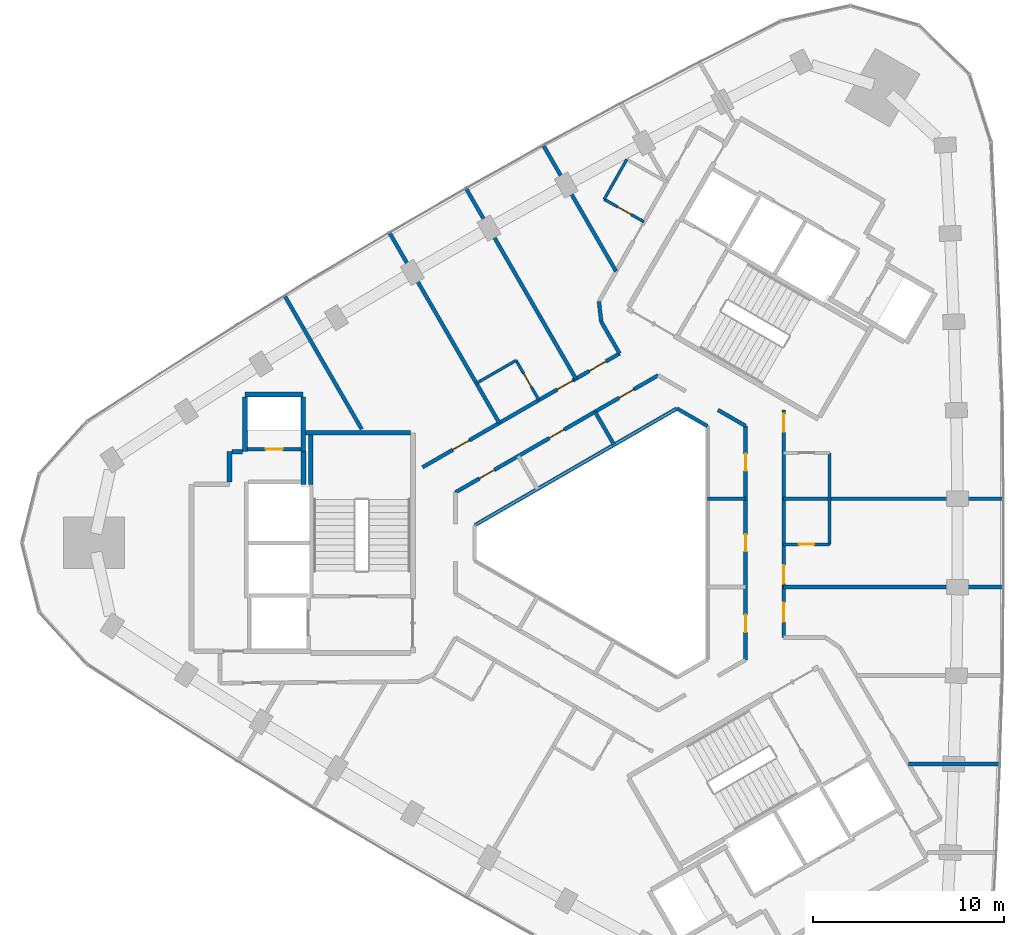
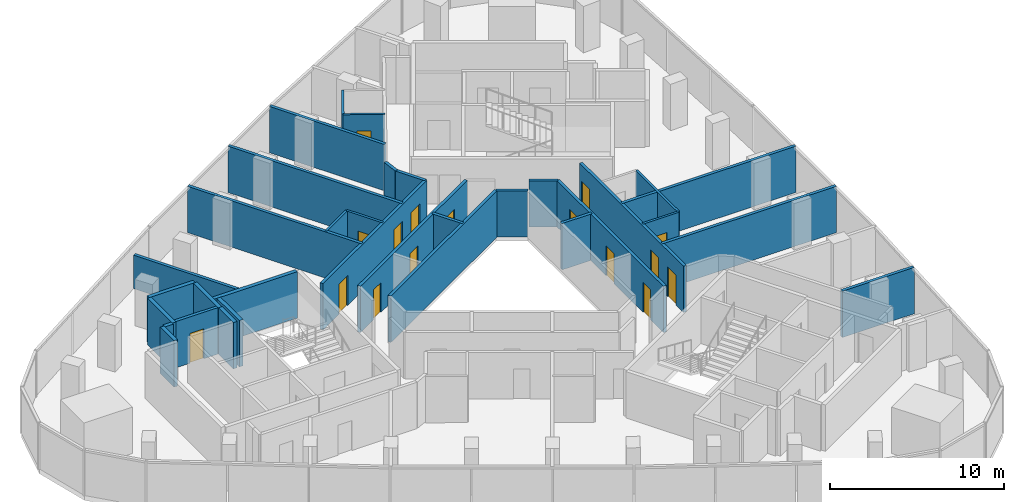
# One storey, part 9 of 12: 33 walls, 16 doors, 16 openings.
"""IFC4 building model written with IfcOpenShell, lengths in metres."""

from ifc_helpers import new_model, si_unit, direction, frame, frame_2d, origin, place, context, subcontext, project, spatial, rectangle, extrude, material, layer, layer_set, type_object, element, fill, save


model = new_model("IFC4")

# Units and contexts
model_context = context("Model", 3, precision=1e-05, world=origin(), true_north=direction((0.0, 1.0)))
body_context = subcontext(model_context, "Body", "Model", "MODEL_VIEW")
ifc_project = project(units=[si_unit("LENGTHUNIT", "METRE"), si_unit("AREAUNIT", "SQUARE_METRE"), si_unit("VOLUMEUNIT", "CUBIC_METRE"), si_unit("PLANEANGLEUNIT", "RADIAN"), si_unit("MASSUNIT", "GRAM", prefix="KILO")], contexts=[model_context])

# Site, building, storey
site_placement = place(None, origin())
site = spatial("IfcSite", under=ifc_project, at=site_placement, CompositionType="ELEMENT")
building_placement = place(site_placement, origin())
building = spatial("IfcBuilding", under=site, at=building_placement, Name="Tamra Quay Hotel Tower", CompositionType="ELEMENT")
storey_placement = place(building_placement, frame((0.0, 0.0, 200.800048828125)))
storey = spatial("IfcBuildingStorey", under=building, at=storey_placement, Name="L50", CompositionType="ELEMENT", Elevation=200.800048828125)

# Wall, opening, door
ifc_material_1 = material(Name="Concrete M70", Category="concrete")
ifc_layer_1 = layer(ifc_material_1, 0.199951171875)
ifc_layer_set_1 = layer_set([ifc_layer_1], Name="Concrete M70 core wall 200")
wall_type_1 = type_object("IfcWallType", Name="Concrete M70 core wall 200", PredefinedType="SHEAR", material=ifc_layer_set_1)
wall_1_placement = place(storey_placement, frame((-19.51123046875, 4.91015625, 0.0), z_axis=(0.0, 0.0, 1.0), x_axis=(1.0, 0.0, 0.0)))
wall_1 = element("IfcWall", 1, at=wall_1_placement, inside=storey, type_object=wall_type_1, Name="CW2", PredefinedType="SHEAR", context=body_context, shape_type="SweptSolid", body=[
    extrude(rectangle(XDim=2.7978515625, YDim=0.199951171875, at=frame_2d((1.39892578125, 0.0))), origin(), (0.0, 0.0, 1.0), 3.25),
])
opening_1_placement = place(wall_1_placement, frame((0.948974609375, 0.0, 0.0)))
opening_1 = element("IfcOpeningElement", 2, at=opening_1_placement, cuts=wall_1, Name="Opening D1", PredefinedType="OPENING", context=body_context, shape_type="SweptSolid", body=[
    extrude(rectangle(XDim=0.89990234375, YDim=2.10009765625, at=frame_2d((0.449951171875, 1.050048828125))), frame((0.0, 0.10986328125, 0.0), z_axis=(0.0, -1.0, 0.0), x_axis=(1.0, 0.0, 0.0)), (0.0, 0.0, 1.0), 0.219970703125),
])
ifc_material_2 = material(Name="Core door D1 900x2100 LH")
door_type_1 = type_object("IfcDoorType", Name="Core door D1 900x2100 LH", OperationType="NOTDEFINED", PredefinedType="DOOR", material=ifc_material_2)
door_1_placement = place(opening_1_placement, origin())
door_1 = element("IfcDoor", 3, at=door_1_placement, inside=storey, type_object=door_type_1, Name="D1", OperationType="SINGLE_SWING_LEFT", OverallHeight=2.10009765625, OverallWidth=0.89990234375, PredefinedType="DOOR", context=body_context, shape_type="SweptSolid", body=[
    extrude(rectangle(XDim=0.89990234375, YDim=2.10009765625, at=frame_2d((0.449951171875, 1.050048828125))), frame((0.0, 0.02490234375, 0.0), z_axis=(0.0, -1.0, 0.0), x_axis=(1.0, 0.0, 0.0)), (0.0, 0.0, 1.0), 0.050048828125),
])
fill(opening_1, door_1)

# Walls
ifc_layer_2 = layer(ifc_material_1, 0.25)
ifc_layer_set_2 = layer_set([ifc_layer_2], Name="Concrete M70 core wall 250")
wall_type_2 = type_object("IfcWallType", Name="Concrete M70 core wall 250", PredefinedType="SHEAR", material=ifc_layer_set_2)
wall_2_placement = place(storey_placement, frame((-16.47216796875, 5.77490234375, 0.0), z_axis=(0.0, 0.0, 1.0), x_axis=(1.0, 0.0, 0.0)))
element("IfcWall", 4, at=wall_2_placement, inside=storey, type_object=wall_type_2, Name="CW1", PredefinedType="SHEAR", context=body_context, shape_type="SweptSolid", body=[
    extrude(rectangle(XDim=5.509521484375, YDim=0.25, at=frame_2d((2.7548828125, 0.0))), origin(), (0.0, 0.0, 1.0), 3.25),
])
wall_3_placement = place(storey_placement, frame((-19.63720703125, 7.77490234375, 0.0), z_axis=(0.0, 0.0, 1.0), x_axis=(1.0, 0.0, 0.0)))
element("IfcWall", 5, at=wall_3_placement, inside=storey, type_object=wall_type_2, Name="CW1", PredefinedType="SHEAR", context=body_context, shape_type="SweptSolid", body=[
    extrude(rectangle(XDim=3.0498046875, YDim=0.25, at=frame_2d((1.52490234375, 0.0))), origin(), (0.0, 0.0, 1.0), 3.25),
])
for number, where, z_axis, x_axis, name in (
    (6, (-16.58740234375, 7.649658203125, 0.0), (0.0, 0.0, 1.0), (0.0, -1.0, 0.0), "CW1"),
    (7, (-19.63720703125, 4.784912109375, 0.0), (0.0, 0.0, 1.0), (0.0, 1.0, 0.0), "CW1"),
):
    element("IfcWall", number, at=place(storey_placement, frame(where, z_axis=z_axis, x_axis=x_axis)), inside=storey, type_object=wall_type_2, Name=name, PredefinedType="SHEAR", context=body_context, shape_type="SweptSolid", body=[
        extrude(rectangle(XDim=2.86474609375, YDim=0.25, at=frame_2d((1.432373046875, 0.0))), origin(), (0.0, 0.0, 1.0), 3.25),
    ])
wall_4_placement = place(storey_placement, frame((-16.187255859375, 3.074951171875, 0.0), z_axis=(0.0, 0.0, 1.0), x_axis=(0.0, 1.0, 0.0)))
element("IfcWall", 8, at=wall_4_placement, inside=storey, type_object=wall_type_2, Name="CW1", PredefinedType="SHEAR", context=body_context, shape_type="SweptSolid", body=[
    extrude(rectangle(XDim=2.57470703125, YDim=0.25, at=frame_2d((1.287353515625, 0.0))), origin(), (0.0, 0.0, 1.0), 3.25),
])
wall_5_placement = place(storey_placement, frame((-16.577392578125, 4.784912109375, 0.0), z_axis=(0.0, 0.0, 1.0), x_axis=(0.0, -1.0, 0.0)))
element("IfcWall", 9, at=wall_5_placement, inside=storey, type_object=wall_type_2, Name="CW1", PredefinedType="SHEAR", context=body_context, shape_type="SweptSolid", body=[
    extrude(rectangle(XDim=1.7099609375, YDim=0.25, at=frame_2d((0.85498046875, 0.0))), origin(), (0.0, 0.0, 1.0), 3.25),
])
wall_6_placement = place(storey_placement, frame((-20.447265625, 3.200439453125, 0.0), z_axis=(0.0, 0.0, 1.0), x_axis=(0.0, 1.0, 0.0)))
element("IfcWall", 10, at=wall_6_placement, inside=storey, type_object=wall_type_2, Name="CW1", PredefinedType="SHEAR", context=body_context, shape_type="SweptSolid", body=[
    extrude(rectangle(XDim=1.58447265625, YDim=0.25, at=frame_2d((0.792236328125, 0.0))), origin(), (0.0, 0.0, 1.0), 3.25),
])
wall_7_placement = place(storey_placement, frame((-20.32177734375, 4.784912109375, 0.0), z_axis=(0.0, 0.0, 1.0), x_axis=(1.0, 0.0, 0.0)))
element("IfcWall", 11, at=wall_7_placement, inside=storey, type_object=wall_type_2, Name="CW1", PredefinedType="SHEAR", context=body_context, shape_type="SweptSolid", body=[
    extrude(rectangle(XDim=0.55908203125, YDim=0.25, at=frame_2d((0.279541015625, 0.0))), origin(), (0.0, 0.0, 1.0), 3.25),
])

# Wall, openings, doors
ifc_material_3 = material(Name="Partition corridor wall")
ifc_layer_3 = layer(ifc_material_3, 0.199951171875)
ifc_layer_set_3 = layer_set([ifc_layer_3], Name="Partition corridor wall")
wall_type_3 = type_object("IfcWallType", Name="Partition corridor wall", PredefinedType="PARTITIONING", material=ifc_layer_set_3)
wall_8_placement = place(storey_placement, frame((-10.33447265625, 3.963134765625, 0.0), z_axis=(0.0, 0.0, 1.0), x_axis=(0.866013159114, 0.500021207791, 0.0)))
wall_8 = element("IfcWall", 12, at=wall_8_placement, inside=storey, type_object=wall_type_3, Name="W-C", PredefinedType="PARTITIONING", context=body_context, shape_type="SweptSolid", body=[
    extrude(rectangle(XDim=11.93115234375, YDim=0.199951171875, at=frame_2d((5.965576171875, 0.0))), origin(), (0.0, 0.0, 1.0), 3.25),
])
opening_2_placement = place(wall_8_placement, frame((10.103271484375, 0.0, 0.0)))
opening_2 = element("IfcOpeningElement", 13, at=opening_2_placement, cuts=wall_8, Name="Opening L50-D011", PredefinedType="OPENING", context=body_context, shape_type="SweptSolid", body=[
    extrude(rectangle(XDim=1.0, YDim=2.10009765625, at=frame_2d((0.5, 1.050048828125))), frame((0.0, 0.10986328125, 0.0), z_axis=(0.0, -1.0, 0.0), x_axis=(1.0, 0.0, 0.0)), (0.0, 0.0, 1.0), 0.219970703125),
])
opening_3_placement = place(wall_8_placement, frame((8.148681640625, 0.0, 0.0)))
opening_3 = element("IfcOpeningElement", 14, at=opening_3_placement, cuts=wall_8, Name="Opening L50-D012", PredefinedType="OPENING", context=body_context, shape_type="SweptSolid", body=[
    extrude(rectangle(XDim=0.949951171875, YDim=2.10009765625, at=frame_2d((0.47509765625, 1.050048828125))), frame((0.0, 0.10986328125, 0.0), z_axis=(0.0, -1.0, 0.0), x_axis=(1.0, 0.0, 0.0)), (0.0, 0.0, 1.0), 0.219970703125),
])
opening_4_placement = place(wall_8_placement, frame((1.83056640625, 0.0, 0.0)))
opening_4 = element("IfcOpeningElement", 15, at=opening_4_placement, cuts=wall_8, Name="Opening L50-D014", PredefinedType="OPENING", context=body_context, shape_type="SweptSolid", body=[
    extrude(rectangle(XDim=1.0, YDim=2.10009765625, at=frame_2d((0.5, 1.050048828125))), frame((0.0, 0.10986328125, 0.0), z_axis=(0.0, -1.0, 0.0), x_axis=(1.0, 0.0, 0.0)), (0.0, 0.0, 1.0), 0.219970703125),
])
ifc_material_4 = material(Name="Door guest room 1000x2100")
door_type_2 = type_object("IfcDoorType", Name="Door guest room 1000x2100", OperationType="NOTDEFINED", PredefinedType="DOOR", material=ifc_material_4)
door_2_placement = place(opening_2_placement, origin())
door_2 = element("IfcDoor", 16, at=door_2_placement, inside=storey, type_object=door_type_2, Name="L50-D011", OperationType="SINGLE_SWING_LEFT", OverallHeight=2.10009765625, OverallWidth=1.0, PredefinedType="DOOR", context=body_context, shape_type="SweptSolid", body=[
    extrude(rectangle(XDim=1.0, YDim=2.10009765625, at=frame_2d((0.5, 1.050048828125))), frame((0.0, 0.02490234375, 0.0), z_axis=(0.0, -1.0, 0.0), x_axis=(1.0, 0.0, 0.0)), (0.0, 0.0, 1.0), 0.050048828125),
])
fill(opening_2, door_2)
door_3_placement = place(opening_4_placement, origin())
door_3 = element("IfcDoor", 17, at=door_3_placement, inside=storey, type_object=door_type_2, Name="L50-D014", OperationType="SINGLE_SWING_LEFT", OverallHeight=2.10009765625, OverallWidth=1.0, PredefinedType="DOOR", context=body_context, shape_type="SweptSolid", body=[
    extrude(rectangle(XDim=1.0, YDim=2.10009765625, at=frame_2d((0.5, 1.050048828125))), frame((0.0, 0.02490234375, 0.0), z_axis=(0.0, -1.0, 0.0), x_axis=(1.0, 0.0, 0.0)), (0.0, 0.0, 1.0), 0.050048828125),
])
fill(opening_4, door_3)
ifc_material_5 = material(Name="Door guest room 950x2100")
door_type_3 = type_object("IfcDoorType", Name="Door guest room 950x2100", OperationType="NOTDEFINED", PredefinedType="DOOR", material=ifc_material_5)
door_4_placement = place(opening_3_placement, origin())
door_4 = element("IfcDoor", 18, at=door_4_placement, inside=storey, type_object=door_type_3, Name="L50-D012", OperationType="SINGLE_SWING_LEFT", OverallHeight=2.10009765625, OverallWidth=0.949951171875, PredefinedType="DOOR", context=body_context, shape_type="SweptSolid", body=[
    extrude(rectangle(XDim=0.949951171875, YDim=2.10009765625, at=frame_2d((0.47509765625, 1.050048828125))), frame((0.0, 0.02490234375, 0.0), z_axis=(0.0, -1.0, 0.0), x_axis=(1.0, 0.0, 0.0)), (0.0, 0.0, 1.0), 0.050048828125),
])
fill(opening_3, door_4)

wall_9_placement = place(storey_placement, frame((-8.611083984375, 2.647705078125, 0.0), z_axis=(0.0, 0.0, 1.0), x_axis=(0.865953566425, 0.500124405319, 0.0)))
wall_9 = element("IfcWall", 19, at=wall_9_placement, inside=storey, type_object=wall_type_3, Name="W-C", PredefinedType="PARTITIONING", context=body_context, shape_type="SweptSolid", body=[
    extrude(rectangle(XDim=12.267333984375, YDim=0.199951171875, at=frame_2d((6.1337890625, 0.0))), origin(), (0.0, 0.0, 1.0), 3.25),
])
opening_5_placement = place(wall_9_placement, frame((9.904052734375, 0.0, 0.0)))
opening_5 = element("IfcOpeningElement", 20, at=opening_5_placement, cuts=wall_9, Name="Opening L50-D024", PredefinedType="OPENING", context=body_context, shape_type="SweptSolid", body=[
    extrude(rectangle(XDim=0.89990234375, YDim=2.10009765625, at=frame_2d((0.449951171875, 1.050048828125))), frame((0.0, 0.10986328125, 0.0), z_axis=(0.0, -1.0, 0.0), x_axis=(1.0, 0.0, 0.0)), (0.0, 0.0, 1.0), 0.219970703125),
])
opening_6_placement = place(wall_9_placement, frame((5.683349609375, 0.0, 0.0)))
opening_6 = element("IfcOpeningElement", 21, at=opening_6_placement, cuts=wall_9, Name="Opening L50-D025", PredefinedType="OPENING", context=body_context, shape_type="SweptSolid", body=[
    extrude(rectangle(XDim=0.89990234375, YDim=2.10009765625, at=frame_2d((0.449951171875, 1.050048828125))), frame((0.0, 0.10986328125, 0.0), z_axis=(0.0, -1.0, 0.0), x_axis=(1.0, 0.0, 0.0)), (0.0, 0.0, 1.0), 0.219970703125),
])
opening_7_placement = place(wall_9_placement, frame((1.46337890625, 0.0, 0.0)))
opening_7 = element("IfcOpeningElement", 22, at=opening_7_placement, cuts=wall_9, Name="Opening L50-D026", PredefinedType="OPENING", context=body_context, shape_type="SweptSolid", body=[
    extrude(rectangle(XDim=0.89990234375, YDim=2.10009765625, at=frame_2d((0.449951171875, 1.050048828125))), frame((0.0, 0.10986328125, 0.0), z_axis=(0.0, -1.0, 0.0), x_axis=(1.0, 0.0, 0.0)), (0.0, 0.0, 1.0), 0.219970703125),
])
ifc_material_6 = material(Name="Door service room 900x2100")
door_type_4 = type_object("IfcDoorType", Name="Door service room 900x2100", OperationType="NOTDEFINED", PredefinedType="DOOR", material=ifc_material_6)
door_5_placement = place(opening_5_placement, frame((0.89990234375, 0.0, 0.0), z_axis=(0.0, 0.0, 1.0), x_axis=(-1.0, 0.0, 0.0)))
door_5 = element("IfcDoor", 23, at=door_5_placement, inside=storey, type_object=door_type_4, Name="L50-D024", OperationType="SINGLE_SWING_LEFT", OverallHeight=2.10009765625, OverallWidth=0.89990234375, PredefinedType="DOOR", context=body_context, shape_type="SweptSolid", body=[
    extrude(rectangle(XDim=0.89990234375, YDim=2.10009765625, at=frame_2d((0.449951171875, 1.050048828125))), frame((0.0, 0.02490234375, 0.0), z_axis=(0.0, -1.0, 0.0), x_axis=(1.0, 0.0, 0.0)), (0.0, 0.0, 1.0), 0.050048828125),
])
fill(opening_5, door_5)
door_6_placement = place(opening_6_placement, frame((0.89990234375, 0.0, 0.0), z_axis=(0.0, 0.0, 1.0), x_axis=(-1.0, 0.0, 0.0)))
door_6 = element("IfcDoor", 24, at=door_6_placement, inside=storey, type_object=door_type_4, Name="L50-D025", OperationType="SINGLE_SWING_LEFT", OverallHeight=2.10009765625, OverallWidth=0.89990234375, PredefinedType="DOOR", context=body_context, shape_type="SweptSolid", body=[
    extrude(rectangle(XDim=0.89990234375, YDim=2.10009765625, at=frame_2d((0.449951171875, 1.050048828125))), frame((0.0, 0.02490234375, 0.0), z_axis=(0.0, -1.0, 0.0), x_axis=(1.0, 0.0, 0.0)), (0.0, 0.0, 1.0), 0.050048828125),
])
fill(opening_6, door_6)
door_7_placement = place(opening_7_placement, frame((0.89990234375, 0.0, 0.0), z_axis=(0.0, 0.0, 1.0), x_axis=(-1.0, 0.0, 0.0)))
door_7 = element("IfcDoor", 25, at=door_7_placement, inside=storey, type_object=door_type_4, Name="L50-D026", OperationType="SINGLE_SWING_LEFT", OverallHeight=2.10009765625, OverallWidth=0.89990234375, PredefinedType="DOOR", context=body_context, shape_type="SweptSolid", body=[
    extrude(rectangle(XDim=0.89990234375, YDim=2.10009765625, at=frame_2d((0.449951171875, 1.050048828125))), frame((0.0, 0.02490234375, 0.0), z_axis=(0.0, -1.0, 0.0), x_axis=(1.0, 0.0, 0.0)), (0.0, 0.0, 1.0), 0.050048828125),
])
fill(opening_7, door_7)

# Walls
wall_10_placement = place(storey_placement, frame((-1.0849609375, 12.64990234375, 0.0), z_axis=(0.0, 0.0, 1.0), x_axis=(0.113812454263, -0.993502252264, 0.0)))
element("IfcWall", 26, at=wall_10_placement, inside=storey, type_object=wall_type_3, Name="W-C", PredefinedType="PARTITIONING", context=body_context, shape_type="SweptSolid", body=[
    extrude(rectangle(XDim=1.061767578125, YDim=0.199951171875, at=frame_2d((0.53076171875, 0.0))), origin(), (0.0, 0.0, 1.0), 3.25),
])
wall_11_placement = place(storey_placement, frame((-0.964111328125, 11.594970703125, 0.0), z_axis=(0.0, 0.0, 1.0), x_axis=(0.500110566207, -0.865961558944, 0.0)))
element("IfcWall", 27, at=wall_11_placement, inside=storey, type_object=wall_type_3, Name="W-C", PredefinedType="PARTITIONING", context=body_context, shape_type="SweptSolid", body=[
    extrude(rectangle(XDim=1.923828125, YDim=0.199951171875, at=frame_2d((0.9619140625, 0.0))), origin(), (0.0, 0.0, 1.0), 3.25),
])
wall_12_placement = place(storey_placement, frame((5.156005859375, 6.968017578125, 0.0), z_axis=(0.0, 0.0, 1.0), x_axis=(0.865963705197, -0.500106849865, 0.0)))
element("IfcWall", 28, at=wall_12_placement, inside=storey, type_object=wall_type_3, Name="W-C", PredefinedType="PARTITIONING", context=body_context, shape_type="SweptSolid", body=[
    extrude(rectangle(XDim=1.667724609375, YDim=0.199951171875, at=frame_2d((0.833984375, 0.0))), origin(), (0.0, 0.0, 1.0), 3.25),
])

# Wall, openings, doors
wall_13_placement = place(storey_placement, frame((6.60009765625, -6.134033203125, 0.0), z_axis=(0.0, 0.0, 1.0), x_axis=(0.0, 1.0, 0.0)))
wall_13 = element("IfcWall", 29, at=wall_13_placement, inside=storey, type_object=wall_type_3, Name="W-C", PredefinedType="PARTITIONING", context=body_context, shape_type="SweptSolid", body=[
    extrude(rectangle(XDim=12.26806640625, YDim=0.199951171875, at=frame_2d((6.134033203125, 0.0))), origin(), (0.0, 0.0, 1.0), 3.25),
])
opening_8_placement = place(wall_13_placement, frame((1.46337890625, 0.0, 0.0)))
opening_8 = element("IfcOpeningElement", 30, at=opening_8_placement, cuts=wall_13, Name="Opening L50-D021", PredefinedType="OPENING", context=body_context, shape_type="SweptSolid", body=[
    extrude(rectangle(XDim=0.89990234375, YDim=2.10009765625, at=frame_2d((0.449951171875, 1.050048828125))), frame((0.0, 0.10986328125, 0.0), z_axis=(0.0, -1.0, 0.0), x_axis=(1.0, 0.0, 0.0)), (0.0, 0.0, 1.0), 0.219970703125),
])
opening_9_placement = place(wall_13_placement, frame((5.68408203125, 0.0, 0.0)))
opening_9 = element("IfcOpeningElement", 31, at=opening_9_placement, cuts=wall_13, Name="Opening L50-D022", PredefinedType="OPENING", context=body_context, shape_type="SweptSolid", body=[
    extrude(rectangle(XDim=0.89990234375, YDim=2.10009765625, at=frame_2d((0.449951171875, 1.050048828125))), frame((0.0, 0.10986328125, 0.0), z_axis=(0.0, -1.0, 0.0), x_axis=(1.0, 0.0, 0.0)), (0.0, 0.0, 1.0), 0.219970703125),
])
opening_10_placement = place(wall_13_placement, frame((9.904541015625, 0.0, 0.0)))
opening_10 = element("IfcOpeningElement", 32, at=opening_10_placement, cuts=wall_13, Name="Opening L50-D023", PredefinedType="OPENING", context=body_context, shape_type="SweptSolid", body=[
    extrude(rectangle(XDim=0.89990234375, YDim=2.10009765625, at=frame_2d((0.449951171875, 1.050048828125))), frame((0.0, 0.10986328125, 0.0), z_axis=(0.0, -1.0, 0.0), x_axis=(1.0, 0.0, 0.0)), (0.0, 0.0, 1.0), 0.219970703125),
])
door_8_placement = place(opening_8_placement, origin())
door_8 = element("IfcDoor", 33, at=door_8_placement, inside=storey, type_object=door_type_4, Name="L50-D021", OperationType="SINGLE_SWING_LEFT", OverallHeight=2.10009765625, OverallWidth=0.89990234375, PredefinedType="DOOR", context=body_context, shape_type="SweptSolid", body=[
    extrude(rectangle(XDim=0.89990234375, YDim=2.10009765625, at=frame_2d((0.449951171875, 1.050048828125))), frame((0.0, 0.02490234375, 0.0), z_axis=(0.0, -1.0, 0.0), x_axis=(1.0, 0.0, 0.0)), (0.0, 0.0, 1.0), 0.050048828125),
])
fill(opening_8, door_8)
door_9_placement = place(opening_9_placement, origin())
door_9 = element("IfcDoor", 34, at=door_9_placement, inside=storey, type_object=door_type_4, Name="L50-D022", OperationType="SINGLE_SWING_LEFT", OverallHeight=2.10009765625, OverallWidth=0.89990234375, PredefinedType="DOOR", context=body_context, shape_type="SweptSolid", body=[
    extrude(rectangle(XDim=0.89990234375, YDim=2.10009765625, at=frame_2d((0.449951171875, 1.050048828125))), frame((0.0, 0.02490234375, 0.0), z_axis=(0.0, -1.0, 0.0), x_axis=(1.0, 0.0, 0.0)), (0.0, 0.0, 1.0), 0.050048828125),
])
fill(opening_9, door_9)
door_10_placement = place(opening_10_placement, origin())
door_10 = element("IfcDoor", 35, at=door_10_placement, inside=storey, type_object=door_type_4, Name="L50-D023", OperationType="SINGLE_SWING_LEFT", OverallHeight=2.10009765625, OverallWidth=0.89990234375, PredefinedType="DOOR", context=body_context, shape_type="SweptSolid", body=[
    extrude(rectangle(XDim=0.89990234375, YDim=2.10009765625, at=frame_2d((0.449951171875, 1.050048828125))), frame((0.0, 0.02490234375, 0.0), z_axis=(0.0, -1.0, 0.0), x_axis=(1.0, 0.0, 0.0)), (0.0, 0.0, 1.0), 0.050048828125),
])
fill(opening_10, door_10)

wall_14_placement = place(storey_placement, frame((8.60009765625, -4.966064453125, 0.0), z_axis=(0.0, 0.0, 1.0), x_axis=(0.0, 1.0, 0.0)))
wall_14 = element("IfcWall", 36, at=wall_14_placement, inside=storey, type_object=wall_type_3, Name="W-C", PredefinedType="PARTITIONING", context=body_context, shape_type="SweptSolid", body=[
    extrude(rectangle(XDim=11.93408203125, YDim=0.199951171875, at=frame_2d((5.967041015625, 0.0))), origin(), (0.0, 0.0, 1.0), 3.25),
])
opening_11_placement = place(wall_14_placement, frame((0.82958984375, 0.0, 0.0)))
opening_11 = element("IfcOpeningElement", 37, at=opening_11_placement, cuts=wall_14, Name="Opening L50-D003", PredefinedType="OPENING", context=body_context, shape_type="SweptSolid", body=[
    extrude(rectangle(XDim=1.0, YDim=2.10009765625, at=frame_2d((0.5, 1.050048828125))), frame((0.0, 0.10986328125, 0.0), z_axis=(0.0, -1.0, 0.0), x_axis=(1.0, 0.0, 0.0)), (0.0, 0.0, 1.0), 0.219970703125),
])
opening_12_placement = place(wall_14_placement, frame((2.8349609375, 0.0, 0.0)))
opening_12 = element("IfcOpeningElement", 38, at=opening_12_placement, cuts=wall_14, Name="Opening L50-D004", PredefinedType="OPENING", context=body_context, shape_type="SweptSolid", body=[
    extrude(rectangle(XDim=0.949951171875, YDim=2.10009765625, at=frame_2d((0.47509765625, 1.050048828125))), frame((0.0, 0.10986328125, 0.0), z_axis=(0.0, -1.0, 0.0), x_axis=(1.0, 0.0, 0.0)), (0.0, 0.0, 1.0), 0.219970703125),
])
opening_13_placement = place(wall_14_placement, frame((10.783935546875, 0.0, 0.0)))
opening_13 = element("IfcOpeningElement", 39, at=opening_13_placement, cuts=wall_14, Name="Opening L50-D006", PredefinedType="OPENING", context=body_context, shape_type="SweptSolid", body=[
    extrude(rectangle(XDim=0.949951171875, YDim=2.10009765625, at=frame_2d((0.47509765625, 1.050048828125))), frame((0.0, 0.10986328125, 0.0), z_axis=(0.0, -1.0, 0.0), x_axis=(1.0, 0.0, 0.0)), (0.0, 0.0, 1.0), 0.219970703125),
])
door_11_placement = place(opening_11_placement, frame((1.0, 0.0, 0.0), z_axis=(0.0, 0.0, 1.0), x_axis=(-1.0, 0.0, 0.0)))
door_11 = element("IfcDoor", 40, at=door_11_placement, inside=storey, type_object=door_type_2, Name="L50-D003", OperationType="SINGLE_SWING_LEFT", OverallHeight=2.10009765625, OverallWidth=1.0, PredefinedType="DOOR", context=body_context, shape_type="SweptSolid", body=[
    extrude(rectangle(XDim=1.0, YDim=2.10009765625, at=frame_2d((0.5, 1.050048828125))), frame((0.0, 0.02490234375, 0.0), z_axis=(0.0, -1.0, 0.0), x_axis=(1.0, 0.0, 0.0)), (0.0, 0.0, 1.0), 0.050048828125),
])
fill(opening_11, door_11)
door_12_placement = place(opening_12_placement, frame((0.949951171875, 0.0, 0.0), z_axis=(0.0, 0.0, 1.0), x_axis=(-1.0, 0.0, 0.0)))
door_12 = element("IfcDoor", 41, at=door_12_placement, inside=storey, type_object=door_type_3, Name="L50-D004", OperationType="SINGLE_SWING_LEFT", OverallHeight=2.10009765625, OverallWidth=0.949951171875, PredefinedType="DOOR", context=body_context, shape_type="SweptSolid", body=[
    extrude(rectangle(XDim=0.949951171875, YDim=2.10009765625, at=frame_2d((0.47509765625, 1.050048828125))), frame((0.0, 0.02490234375, 0.0), z_axis=(0.0, -1.0, 0.0), x_axis=(1.0, 0.0, 0.0)), (0.0, 0.0, 1.0), 0.050048828125),
])
fill(opening_12, door_12)
door_13_placement = place(opening_13_placement, frame((0.949951171875, 0.0, 0.0), z_axis=(0.0, 0.0, 1.0), x_axis=(-1.0, 0.0, 0.0)))
door_13 = element("IfcDoor", 42, at=door_13_placement, inside=storey, type_object=door_type_3, Name="L50-D006", OperationType="SINGLE_SWING_LEFT", OverallHeight=2.10009765625, OverallWidth=0.949951171875, PredefinedType="DOOR", context=body_context, shape_type="SweptSolid", body=[
    extrude(rectangle(XDim=0.949951171875, YDim=2.10009765625, at=frame_2d((0.47509765625, 1.050048828125))), frame((0.0, 0.02490234375, 0.0), z_axis=(0.0, -1.0, 0.0), x_axis=(1.0, 0.0, 0.0)), (0.0, 0.0, 1.0), 0.050048828125),
])
fill(opening_13, door_13)

# Wall
ifc_material_7 = material(Name="Partition en-suite wall")
ifc_layer_4 = layer(ifc_material_7, 0.14990234375)
ifc_layer_set_4 = layer_set([ifc_layer_4], Name="Partition en-suite wall")
wall_type_4 = type_object("IfcWallType", Name="Partition en-suite wall", PredefinedType="PARTITIONING", material=ifc_layer_set_4)
wall_15_placement = place(storey_placement, frame((-7.508056640625, 8.365966796875, 0.0), z_axis=(0.0, 0.0, 1.0), x_axis=(0.865822967017, 0.500350466959, 0.0)))
element("IfcWall", 43, at=wall_15_placement, inside=storey, type_object=wall_type_4, Name="W-E", PredefinedType="PARTITIONING", context=body_context, shape_type="SweptSolid", body=[
    extrude(rectangle(XDim=2.400146484375, YDim=0.14990234375, at=frame_2d((1.2001953125, 0.0))), origin(), (0.0, 0.0, 1.0), 3.25),
])

# Wall, opening, door
wall_16_placement = place(storey_placement, frame((-5.429931640625, 9.56689453125, 0.0), z_axis=(0.0, 0.0, 1.0), x_axis=(0.499913221443, -0.866075499611, 0.0)))
wall_16 = element("IfcWall", 44, at=wall_16_placement, inside=storey, type_object=wall_type_4, Name="W-E", PredefinedType="PARTITIONING", context=body_context, shape_type="SweptSolid", body=[
    extrude(rectangle(XDim=2.400390625, YDim=0.14990234375, at=frame_2d((1.2001953125, 0.0))), origin(), (0.0, 0.0, 1.0), 3.25),
])
opening_14_placement = place(wall_16_placement, frame((0.800537109375, 0.0, 0.0)))
opening_14 = element("IfcOpeningElement", 45, at=opening_14_placement, cuts=wall_16, Name="Opening L50-D013", PredefinedType="OPENING", context=body_context, shape_type="SweptSolid", body=[
    extrude(rectangle(XDim=0.800048828125, YDim=2.10009765625, at=frame_2d((0.39990234375, 1.050048828125))), frame((0.0, 0.0849609375, 0.0), z_axis=(0.0, -1.0, 0.0), x_axis=(1.0, 0.0, 0.0)), (0.0, 0.0, 1.0), 0.169921875),
])
ifc_material_8 = material(Name="Door en-suite 800x2100")
door_type_5 = type_object("IfcDoorType", Name="Door en-suite 800x2100", OperationType="NOTDEFINED", PredefinedType="DOOR", material=ifc_material_8)
door_14_placement = place(opening_14_placement, frame((0.800048828125, 0.0, 0.0), z_axis=(0.0, 0.0, 1.0), x_axis=(-1.0, 0.0, 0.0)))
door_14 = element("IfcDoor", 46, at=door_14_placement, inside=storey, type_object=door_type_5, Name="L50-D013", OperationType="SINGLE_SWING_LEFT", OverallHeight=2.10009765625, OverallWidth=0.800048828125, PredefinedType="DOOR", context=body_context, shape_type="SweptSolid", body=[
    extrude(rectangle(XDim=0.800048828125, YDim=2.10009765625, at=frame_2d((0.39990234375, 1.050048828125))), frame((0.0, 0.02490234375, 0.0), z_axis=(0.0, -1.0, 0.0), x_axis=(1.0, 0.0, 0.0)), (0.0, 0.0, 1.0), 0.050048828125),
])
fill(opening_14, door_14)

# Wall
wall_17_placement = place(storey_placement, frame((-0.80908203125, 18.011962890625, 0.0), z_axis=(0.0, 0.0, 1.0), x_axis=(0.492476131012, 0.870325950655, 0.0)))
element("IfcWall", 47, at=wall_17_placement, inside=storey, type_object=wall_type_4, Name="W-E", PredefinedType="PARTITIONING", context=body_context, shape_type="SweptSolid", body=[
    extrude(rectangle(XDim=2.400390625, YDim=0.14990234375, at=frame_2d((1.2001953125, 0.0))), origin(), (0.0, 0.0, 1.0), 3.25),
])

# Wall, opening, door
wall_18_placement = place(storey_placement, frame((-0.80908203125, 18.011962890625, 0.0), z_axis=(0.0, 0.0, 1.0), x_axis=(0.870369543509, -0.492399083806, 0.0)))
wall_18 = element("IfcWall", 48, at=wall_18_placement, inside=storey, type_object=wall_type_4, Name="W-E", PredefinedType="PARTITIONING", context=body_context, shape_type="SweptSolid", body=[
    extrude(rectangle(XDim=2.400146484375, YDim=0.14990234375, at=frame_2d((1.2001953125, 0.0))), origin(), (0.0, 0.0, 1.0), 3.25),
])
opening_15_placement = place(wall_18_placement, frame((0.800048828125, 0.0, 0.0)))
opening_15 = element("IfcOpeningElement", 49, at=opening_15_placement, cuts=wall_18, Name="Opening L50-D010", PredefinedType="OPENING", context=body_context, shape_type="SweptSolid", body=[
    extrude(rectangle(XDim=0.800048828125, YDim=2.10009765625, at=frame_2d((0.39990234375, 1.050048828125))), frame((0.0, 0.0849609375, 0.0), z_axis=(0.0, -1.0, 0.0), x_axis=(1.0, 0.0, 0.0)), (0.0, 0.0, 1.0), 0.169921875),
])
door_15_placement = place(opening_15_placement, origin())
door_15 = element("IfcDoor", 50, at=door_15_placement, inside=storey, type_object=door_type_5, Name="L50-D010", OperationType="SINGLE_SWING_LEFT", OverallHeight=2.10009765625, OverallWidth=0.800048828125, PredefinedType="DOOR", context=body_context, shape_type="SweptSolid", body=[
    extrude(rectangle(XDim=0.800048828125, YDim=2.10009765625, at=frame_2d((0.39990234375, 1.050048828125))), frame((0.0, 0.02490234375, 0.0), z_axis=(0.0, -1.0, 0.0), x_axis=(1.0, 0.0, 0.0)), (0.0, 0.0, 1.0), 0.050048828125),
])
fill(opening_15, door_15)

wall_19_placement = place(storey_placement, frame((8.60009765625, -0.0810546875, 0.0), z_axis=(0.0, 0.0, 1.0), x_axis=(1.0, 0.0, 0.0)))
wall_19 = element("IfcWall", 51, at=wall_19_placement, inside=storey, type_object=wall_type_4, Name="W-E", PredefinedType="PARTITIONING", context=body_context, shape_type="SweptSolid", body=[
    extrude(rectangle(XDim=2.39990234375, YDim=0.14990234375, at=frame_2d((1.199951171875, 0.0))), origin(), (0.0, 0.0, 1.0), 3.25),
])
opening_16_placement = place(wall_19_placement, frame((0.800048828125, 0.0, 0.0)))
opening_16 = element("IfcOpeningElement", 52, at=opening_16_placement, cuts=wall_19, Name="Opening L50-D005", PredefinedType="OPENING", context=body_context, shape_type="SweptSolid", body=[
    extrude(rectangle(XDim=0.800048828125, YDim=2.10009765625, at=frame_2d((0.39990234375, 1.050048828125))), frame((0.0, 0.0849609375, 0.0), z_axis=(0.0, -1.0, 0.0), x_axis=(1.0, 0.0, 0.0)), (0.0, 0.0, 1.0), 0.169921875),
])
door_16_placement = place(opening_16_placement, origin())
door_16 = element("IfcDoor", 53, at=door_16_placement, inside=storey, type_object=door_type_5, Name="L50-D005", OperationType="SINGLE_SWING_LEFT", OverallHeight=2.10009765625, OverallWidth=0.800048828125, PredefinedType="DOOR", context=body_context, shape_type="SweptSolid", body=[
    extrude(rectangle(XDim=0.800048828125, YDim=2.10009765625, at=frame_2d((0.39990234375, 1.050048828125))), frame((0.0, 0.02490234375, 0.0), z_axis=(0.0, -1.0, 0.0), x_axis=(1.0, 0.0, 0.0)), (0.0, 0.0, 1.0), 0.050048828125),
])
fill(opening_16, door_16)

# Walls
wall_20_placement = place(storey_placement, frame((11.0, -0.0810546875, 0.0), z_axis=(0.0, 0.0, 1.0), x_axis=(0.0, 1.0, 0.0)))
element("IfcWall", 54, at=wall_20_placement, inside=storey, type_object=wall_type_4, Name="W-E", PredefinedType="PARTITIONING", context=body_context, shape_type="SweptSolid", body=[
    extrude(rectangle(XDim=4.798095703125, YDim=0.14990234375, at=frame_2d((2.39892578125, 0.0))), origin(), (0.0, 0.0, 1.0), 3.25),
])
ifc_material_9 = material(Name="Partition party wall")
ifc_layer_5 = layer(ifc_material_9, 0.199951171875)
ifc_layer_set_5 = layer_set([ifc_layer_5], Name="Partition party wall")
wall_type_5 = type_object("IfcWallType", Name="Partition party wall", PredefinedType="PARTITIONING", material=ifc_layer_set_5)
wall_21_placement = place(storey_placement, frame((-17.5625, 12.960693359375, 0.0), z_axis=(0.0, 0.0, 1.0), x_axis=(0.500056194816, -0.865992957262, 0.0)))
element("IfcWall", 55, at=wall_21_placement, inside=storey, type_object=wall_type_5, Name="W-P", PredefinedType="PARTITIONING", context=body_context, shape_type="SweptSolid", body=[
    extrude(rectangle(XDim=8.083984375, YDim=0.199951171875, at=frame_2d((4.0419921875, 0.0))), origin(), (0.0, 0.0, 1.0), 2.349853515625),
])
for number, where, z_axis, x_axis, name in (
    (56, (-12.0673828125, 16.263427734375, 0.0), (0.0, 0.0, 1.0), (0.499975646431, -0.866039463868, 0.0), "W-P"),
    (57, (-8.051513671875, 18.58203125, 0.0), (0.0, 0.0, 1.0), (0.500025795397, -0.866010510293, 0.0), "W-P"),
):
    element("IfcWall", number, at=place(storey_placement, frame(where, z_axis=z_axis, x_axis=x_axis)), inside=storey, type_object=wall_type_5, Name=name, PredefinedType="PARTITIONING", context=body_context, shape_type="SweptSolid", body=[
        extrude(rectangle(XDim=11.5185546875, YDim=0.199951171875, at=frame_2d((5.75927734375, 0.0))), origin(), (0.0, 0.0, 1.0), 3.25),
    ])
wall_22_placement = place(storey_placement, frame((-7.59912109375, 0.922607421875, 0.0), z_axis=(0.0, 0.0, 1.0), x_axis=(0.865957029593, 0.500118408877, 0.0)))
element("IfcWall", 58, at=wall_22_placement, inside=storey, type_object=wall_type_5, Name="W-P", PredefinedType="PARTITIONING", context=body_context, shape_type="SweptSolid", body=[
    extrude(rectangle(XDim=12.23974609375, YDim=0.199951171875, at=frame_2d((6.119873046875, 0.0))), origin(), (0.0, 0.0, 1.0), 3.25),
])
wall_23_placement = place(storey_placement, frame((-4.003662109375, 20.844970703125, 0.0), z_axis=(0.0, 0.0, 1.0), x_axis=(0.500003076341, -0.866023627651, 0.0)))
element("IfcWall", 59, at=wall_23_placement, inside=storey, type_object=wall_type_5, Name="W-P", PredefinedType="PARTITIONING", context=body_context, shape_type="SweptSolid", body=[
    extrude(rectangle(XDim=7.63134765625, YDim=0.199951171875, at=frame_2d((3.815673828125, 0.0))), origin(), (0.0, 0.0, 1.0), 3.25),
])
wall_24_placement = place(storey_placement, frame((-1.2919921875, 6.875, 0.0), z_axis=(0.0, 0.0, 1.0), x_axis=(0.50002537861, -0.866010750942, 0.0)))
element("IfcWall", 60, at=wall_24_placement, inside=storey, type_object=wall_type_5, Name="W-P", PredefinedType="PARTITIONING", context=body_context, shape_type="SweptSolid", body=[
    extrude(rectangle(XDim=2.0, YDim=0.199951171875, at=frame_2d((1.0, 0.0))), origin(), (0.0, 0.0, 1.0), 3.25),
])
wall_25_placement = place(storey_placement, frame((3.000244140625, 7.04443359375, 0.0), z_axis=(0.0, 0.0, 1.0), x_axis=(0.865875248522, -0.500259986404, 0.0)))
element("IfcWall", 61, at=wall_25_placement, inside=storey, type_object=wall_type_5, Name="W-P", PredefinedType="PARTITIONING", context=body_context, shape_type="SweptSolid", body=[
    extrude(rectangle(XDim=1.84765625, YDim=0.199951171875, at=frame_2d((0.923828125, 0.0))), origin(), (0.0, 0.0, 1.0), 3.25),
])
wall_26_placement = place(storey_placement, frame((4.60009765625, 2.319091796875, 0.0), z_axis=(0.0, 0.0, 1.0), x_axis=(1.0, 0.0, 0.0)))
element("IfcWall", 62, at=wall_26_placement, inside=storey, type_object=wall_type_5, Name="W-P", PredefinedType="PARTITIONING", context=body_context, shape_type="SweptSolid", body=[
    extrude(rectangle(XDim=2.0, YDim=0.199951171875, at=frame_2d((1.0, 0.0))), origin(), (0.0, 0.0, 1.0), 3.25),
])
for number, where, z_axis, x_axis, name in (
    (63, (8.60009765625, -2.319091796875, 0.0), (0.0, 0.0, 1.0), (1.0, 0.0, 0.0), "W-P"),
    (64, (8.60009765625, 2.319091796875, 0.0), (0.0, 0.0, 1.0), (1.0, 0.0, 0.0), "W-P"),
):
    element("IfcWall", number, at=place(storey_placement, frame(where, z_axis=z_axis, x_axis=x_axis)), inside=storey, type_object=wall_type_5, Name=name, PredefinedType="PARTITIONING", context=body_context, shape_type="SweptSolid", body=[
        extrude(rectangle(XDim=11.51806640625, YDim=0.199951171875, at=frame_2d((5.759033203125, 0.0))), origin(), (0.0, 0.0, 1.0), 3.25),
    ])
wall_27_placement = place(storey_placement, frame((15.154052734375, -11.592041015625, 0.0), z_axis=(0.0, 0.0, 1.0), x_axis=(1.0, 0.0, 0.0)))
element("IfcWall", 65, at=wall_27_placement, inside=storey, type_object=wall_type_5, Name="W-P", PredefinedType="PARTITIONING", context=body_context, shape_type="SweptSolid", body=[
    extrude(rectangle(XDim=4.77197265625, YDim=0.199951171875, at=frame_2d((2.385986328125, 0.0))), origin(), (0.0, 0.0, 1.0), 3.25),
])

save(model, "model.ifc")
